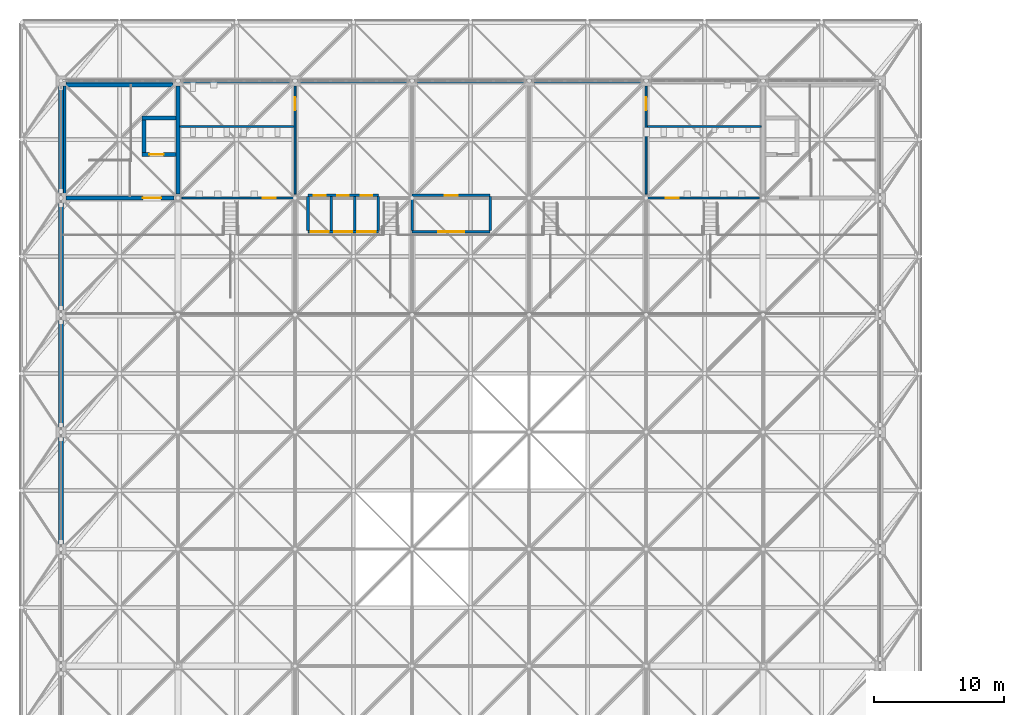
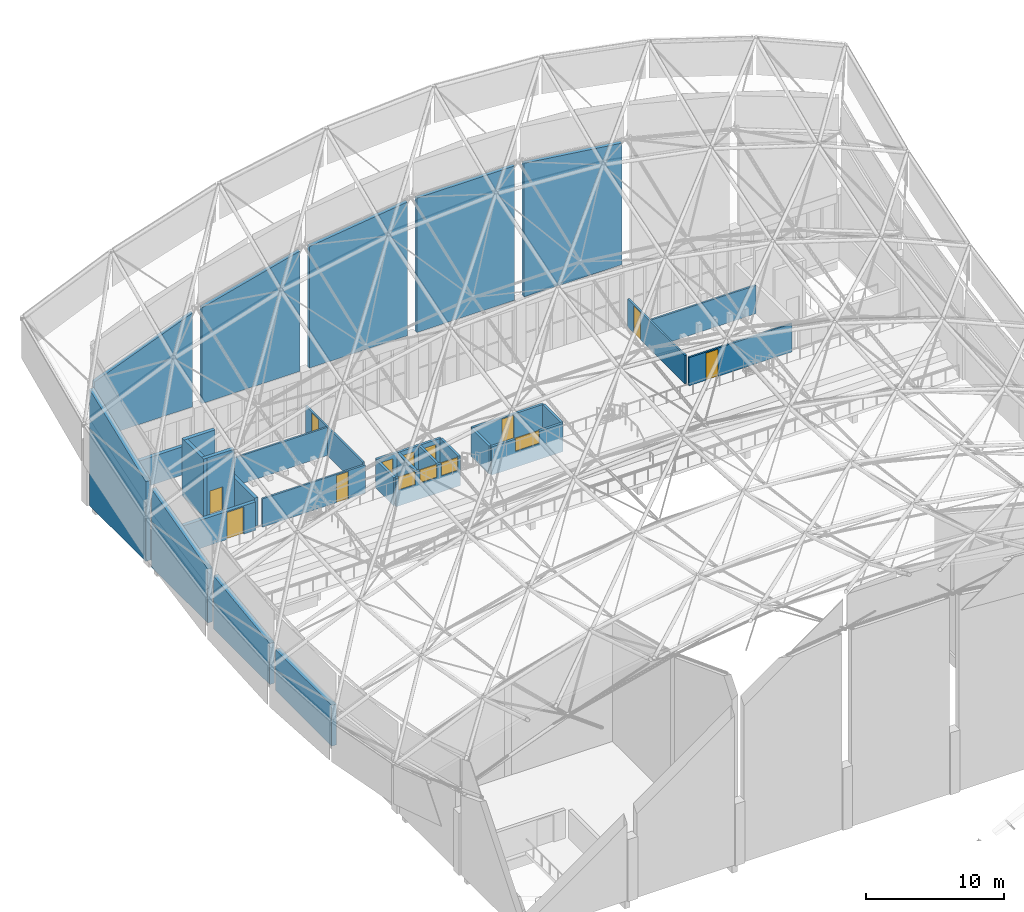
# One storey, part 273 of 437: 32 walls, 10 doors, 4 windows, 14 openings.
"""IFC4 building model written with IfcOpenShell, lengths in metres."""

from ifc_helpers import new_model, si_unit, direction, frame, frame_2d, origin, place, context, subcontext, project, spatial, polyline, rectangle, outline, extrude, material, layer, layer_set, type_object, element, fill, save


model = new_model("IFC4")

# Units and contexts
model_context = context("Model", 3, precision=1e-05, world=origin(), true_north=direction((0.0, 1.0)))
body_context = subcontext(model_context, "Body", "Model", "MODEL_VIEW")
ifc_project = project(units=[si_unit("LENGTHUNIT", "METRE"), si_unit("AREAUNIT", "SQUARE_METRE"), si_unit("VOLUMEUNIT", "CUBIC_METRE"), si_unit("PLANEANGLEUNIT", "RADIAN"), si_unit("MASSUNIT", "GRAM", prefix="KILO")], contexts=[model_context])

# Site, building, storey
site_placement = place(None, origin())
site = spatial("IfcSite", under=ifc_project, at=site_placement, CompositionType="ELEMENT")
building_placement = place(site_placement, origin())
building = spatial("IfcBuilding", under=site, at=building_placement, Name="Opaline Strait Convention Centre", CompositionType="ELEMENT")
storey_placement = place(building_placement, frame((0.0, 0.0, 11.5)))
storey = spatial("IfcBuildingStorey", under=building, at=storey_placement, Name="L02", CompositionType="ELEMENT", Elevation=11.5)

# Wall, openings, windows
ifc_material_1 = material(Name="Gypsum board on steel studs with mineral wool", Category="steel")
ifc_layer_1 = layer(ifc_material_1, 0.199951171875)
ifc_layer_set_1 = layer_set([ifc_layer_1], Name="Gypsum board on steel studs with mineral wool")
wall_type_1 = type_object("IfcWallType", Name="Acoustic partition 200", PredefinedType="PARTITIONING", material=ifc_layer_set_1)
wall_1_placement = place(storey_placement, frame((28.0, 168.39990234375, 0.0), z_axis=(0.0, 0.0, 1.0), x_axis=(1.0, 0.0, 0.0)))
wall_1 = element("IfcWall", 1, at=wall_1_placement, inside=storey, type_object=wall_type_1, Name="PW12 L02 partition BOOTH-S", PredefinedType="PARTITIONING", context=body_context, shape_type="SweptSolid", body=[
    extrude(rectangle(XDim=5.39990234375, YDim=0.199951171875, at=frame_2d((2.699951171875, 0.0))), origin(), (0.0, 0.0, 1.0), 2.5),
])
opening_1_placement = place(wall_1_placement, frame((0.199951171875, 0.0, 1.39990234375)))
opening_1 = element("IfcOpeningElement", 2, at=opening_1_placement, cuts=wall_1, Name="Opening PWN2", PredefinedType="OPENING", context=body_context, shape_type="SweptSolid", body=[
    extrude(rectangle(XDim=1.39990234375, YDim=1.10009765625, at=frame_2d((0.699951171875, 0.550048828125))), frame((0.0, 0.10986328125, 0.0), z_axis=(0.0, -1.0, 0.0), x_axis=(1.0, 0.0, 0.0)), (0.0, 0.0, 1.0), 0.219970703125),
])
opening_2_placement = place(wall_1_placement, frame((2.0, 0.0, 1.39990234375)))
opening_2 = element("IfcOpeningElement", 3, at=opening_2_placement, cuts=wall_1, Name="Opening PWN2", PredefinedType="OPENING", context=body_context, shape_type="SweptSolid", body=[
    extrude(rectangle(XDim=1.39990234375, YDim=1.10009765625, at=frame_2d((0.699951171875, 0.550048828125))), frame((0.0, 0.10986328125, 0.0), z_axis=(0.0, -1.0, 0.0), x_axis=(1.0, 0.0, 0.0)), (0.0, 0.0, 1.0), 0.219970703125),
])
opening_3_placement = place(wall_1_placement, frame((3.800048828125, 0.0, 1.39990234375)))
opening_3 = element("IfcOpeningElement", 4, at=opening_3_placement, cuts=wall_1, Name="Opening PWN2", PredefinedType="OPENING", context=body_context, shape_type="SweptSolid", body=[
    extrude(rectangle(XDim=1.39990234375, YDim=1.10009765625, at=frame_2d((0.699951171875, 0.550048828125))), frame((0.0, 0.10986328125, 0.0), z_axis=(0.0, -1.0, 0.0), x_axis=(1.0, 0.0, 0.0)), (0.0, 0.0, 1.0), 0.219970703125),
])
ifc_material_2 = material(Name="Aluminium framed double glazing", Category="aluminium")
window_type_1 = type_object("IfcWindowType", Name="Booth window 1400 x 1100", PartitioningType="DOUBLE_PANEL_VERTICAL", PredefinedType="WINDOW", material=ifc_material_2)
window_1_placement = place(opening_1_placement, origin())
window_1 = element("IfcWindow", 5, at=window_1_placement, inside=storey, type_object=window_type_1, Name="Interpreters booth 1 window", OverallHeight=1.10009765625, OverallWidth=1.39990234375, PartitioningType="DOUBLE_PANEL_VERTICAL", PredefinedType="WINDOW", context=body_context, shape_type="SweptSolid", body=[
    extrude(rectangle(XDim=1.39990234375, YDim=1.10009765625, at=frame_2d((0.699951171875, 0.550048828125))), frame((0.0, 0.030029296875, 0.0), z_axis=(0.0, -1.0, 0.0), x_axis=(1.0, 0.0, 0.0)), (0.0, 0.0, 1.0), 0.06005859375),
])
fill(opening_1, window_1)
window_2_placement = place(opening_2_placement, origin())
window_2 = element("IfcWindow", 6, at=window_2_placement, inside=storey, type_object=window_type_1, Name="Interpreters booth 2 window", OverallHeight=1.10009765625, OverallWidth=1.39990234375, PartitioningType="DOUBLE_PANEL_VERTICAL", PredefinedType="WINDOW", context=body_context, shape_type="SweptSolid", body=[
    extrude(rectangle(XDim=1.39990234375, YDim=1.10009765625, at=frame_2d((0.699951171875, 0.550048828125))), frame((0.0, 0.030029296875, 0.0), z_axis=(0.0, -1.0, 0.0), x_axis=(1.0, 0.0, 0.0)), (0.0, 0.0, 1.0), 0.06005859375),
])
fill(opening_2, window_2)
window_3_placement = place(opening_3_placement, origin())
window_3 = element("IfcWindow", 7, at=window_3_placement, inside=storey, type_object=window_type_1, Name="Interpreters booth 3 window", OverallHeight=1.10009765625, OverallWidth=1.39990234375, PartitioningType="DOUBLE_PANEL_VERTICAL", PredefinedType="WINDOW", context=body_context, shape_type="SweptSolid", body=[
    extrude(rectangle(XDim=1.39990234375, YDim=1.10009765625, at=frame_2d((0.699951171875, 0.550048828125))), frame((0.0, 0.030029296875, 0.0), z_axis=(0.0, -1.0, 0.0), x_axis=(1.0, 0.0, 0.0)), (0.0, 0.0, 1.0), 0.06005859375),
])
fill(opening_3, window_3)

# Wall, openings, doors
wall_2_placement = place(storey_placement, frame((28.0, 171.199951171875, 0.0), z_axis=(0.0, 0.0, 1.0), x_axis=(1.0, 0.0, 0.0)))
wall_2 = element("IfcWall", 8, at=wall_2_placement, inside=storey, type_object=wall_type_1, Name="PW12 L02 partition BOOTH-N", PredefinedType="PARTITIONING", context=body_context, shape_type="SweptSolid", body=[
    extrude(rectangle(XDim=5.39990234375, YDim=0.199951171875, at=frame_2d((2.699951171875, 0.0))), origin(), (0.0, 0.0, 1.0), 2.5),
])
opening_4_placement = place(wall_2_placement, frame((0.449951171875, 0.0, 0.0)))
opening_4 = element("IfcOpeningElement", 9, at=opening_4_placement, cuts=wall_2, Name="Opening P2-009", PredefinedType="OPENING", context=body_context, shape_type="SweptSolid", body=[
    extrude(rectangle(XDim=0.89990234375, YDim=2.10009765625, at=frame_2d((0.449951171875, 1.050048828125))), frame((0.0, 0.10986328125, 0.0), z_axis=(0.0, -1.0, 0.0), x_axis=(1.0, 0.0, 0.0)), (0.0, 0.0, 1.0), 0.219970703125),
])
opening_5_placement = place(wall_2_placement, frame((2.25, 0.0, 0.0)))
opening_5 = element("IfcOpeningElement", 10, at=opening_5_placement, cuts=wall_2, Name="Opening P2-010", PredefinedType="OPENING", context=body_context, shape_type="SweptSolid", body=[
    extrude(rectangle(XDim=0.89990234375, YDim=2.10009765625, at=frame_2d((0.449951171875, 1.050048828125))), frame((0.0, 0.10986328125, 0.0), z_axis=(0.0, -1.0, 0.0), x_axis=(1.0, 0.0, 0.0)), (0.0, 0.0, 1.0), 0.219970703125),
])
opening_6_placement = place(wall_2_placement, frame((4.050048828125, 0.0, 0.0)))
opening_6 = element("IfcOpeningElement", 11, at=opening_6_placement, cuts=wall_2, Name="Opening P2-011", PredefinedType="OPENING", context=body_context, shape_type="SweptSolid", body=[
    extrude(rectangle(XDim=0.89990234375, YDim=2.10009765625, at=frame_2d((0.449951171875, 1.050048828125))), frame((0.0, 0.10986328125, 0.0), z_axis=(0.0, -1.0, 0.0), x_axis=(1.0, 0.0, 0.0)), (0.0, 0.0, 1.0), 0.219970703125),
])
ifc_material_3 = material(Name="Timber door leaf", Category="wood")
door_type_1 = type_object("IfcDoorType", Name="Door single 900 x 2100", OperationType="NOTDEFINED", PredefinedType="DOOR", material=ifc_material_3)
door_1_placement = place(opening_4_placement, origin())
door_1 = element("IfcDoor", 12, at=door_1_placement, inside=storey, type_object=door_type_1, Name="Interpreters booth 1 door", ObjectType="PD12", OperationType="SINGLE_SWING_LEFT", OverallHeight=2.10009765625, OverallWidth=0.89990234375, PredefinedType="DOOR", context=body_context, shape_type="SweptSolid", body=[
    extrude(rectangle(XDim=0.89990234375, YDim=2.10009765625, at=frame_2d((0.449951171875, 1.050048828125))), frame((0.0, 0.02490234375, 0.0), z_axis=(0.0, -1.0, 0.0), x_axis=(1.0, 0.0, 0.0)), (0.0, 0.0, 1.0), 0.050048828125),
])
fill(opening_4, door_1)
door_2_placement = place(opening_5_placement, origin())
door_2 = element("IfcDoor", 13, at=door_2_placement, inside=storey, type_object=door_type_1, Name="Interpreters booth 2 door", ObjectType="PD12", OperationType="SINGLE_SWING_RIGHT", OverallHeight=2.10009765625, OverallWidth=0.89990234375, PredefinedType="DOOR", context=body_context, shape_type="SweptSolid", body=[
    extrude(rectangle(XDim=0.89990234375, YDim=2.10009765625, at=frame_2d((0.449951171875, 1.050048828125))), frame((0.0, 0.02490234375, 0.0), z_axis=(0.0, -1.0, 0.0), x_axis=(1.0, 0.0, 0.0)), (0.0, 0.0, 1.0), 0.050048828125),
])
fill(opening_5, door_2)
door_3_placement = place(opening_6_placement, origin())
door_3 = element("IfcDoor", 14, at=door_3_placement, inside=storey, type_object=door_type_1, Name="Interpreters booth 3 door", ObjectType="PD12", OperationType="SINGLE_SWING_RIGHT", OverallHeight=2.10009765625, OverallWidth=0.89990234375, PredefinedType="DOOR", context=body_context, shape_type="SweptSolid", body=[
    extrude(rectangle(XDim=0.89990234375, YDim=2.10009765625, at=frame_2d((0.449951171875, 1.050048828125))), frame((0.0, 0.02490234375, 0.0), z_axis=(0.0, -1.0, 0.0), x_axis=(1.0, 0.0, 0.0)), (0.0, 0.0, 1.0), 0.050048828125),
])
fill(opening_6, door_3)

# Walls
for number, where, z_axis, x_axis, name in (
    (15, (28.0, 168.5, 0.0), (0.0, 0.0, 1.0), (0.0, 1.0, 0.0), "PW12 L02 partition BOOTH-X0"),
    (16, (29.800048828125, 168.5, 0.0), (0.0, 0.0, 1.0), (0.0, 1.0, 0.0), "PW12 L02 partition BOOTH-X1"),
    (17, (31.60009765625, 168.5, 0.0), (0.0, 0.0, 1.0), (0.0, 1.0, 0.0), "PW12 L02 partition BOOTH-X2"),
    (18, (33.39990234375, 168.5, 0.0), (0.0, 0.0, 1.0), (0.0, 1.0, 0.0), "PW12 L02 partition BOOTH-X3"),
):
    element("IfcWall", number, at=place(storey_placement, frame(where, z_axis=z_axis, x_axis=x_axis)), inside=storey, type_object=wall_type_1, Name=name, PredefinedType="PARTITIONING", context=body_context, shape_type="SweptSolid", body=[
        extrude(rectangle(XDim=2.60009765625, YDim=0.199951171875, at=frame_2d((1.300048828125, 0.0))), origin(), (0.0, 0.0, 1.0), 2.5),
    ])

# Wall, opening, window
wall_3_placement = place(storey_placement, frame((36.0, 168.39990234375, 0.0), z_axis=(0.0, 0.0, 1.0), x_axis=(1.0, 0.0, 0.0)))
wall_3 = element("IfcWall", 19, at=wall_3_placement, inside=storey, type_object=wall_type_1, Name="PW12 L02 partition CTRL-S", PredefinedType="PARTITIONING", context=body_context, shape_type="SweptSolid", body=[
    extrude(rectangle(XDim=6.0, YDim=0.199951171875, at=frame_2d((3.0, 0.0))), origin(), (0.0, 0.0, 1.0), 2.5),
])
opening_7_placement = place(wall_3_placement, frame((2.0, 0.0, 1.39990234375)))
opening_7 = element("IfcOpeningElement", 20, at=opening_7_placement, cuts=wall_3, Name="Opening PWN1", PredefinedType="OPENING", context=body_context, shape_type="SweptSolid", body=[
    extrude(rectangle(XDim=2.0, YDim=1.10009765625, at=frame_2d((1.0, 0.550048828125))), frame((0.0, 0.10986328125, 0.0), z_axis=(0.0, -1.0, 0.0), x_axis=(1.0, 0.0, 0.0)), (0.0, 0.0, 1.0), 0.219970703125),
])
window_type_2 = type_object("IfcWindowType", Name="Booth window 2000 x 1100", PartitioningType="DOUBLE_PANEL_VERTICAL", PredefinedType="WINDOW", material=ifc_material_2)
window_4_placement = place(opening_7_placement, origin())
window_4 = element("IfcWindow", 21, at=window_4_placement, inside=storey, type_object=window_type_2, Name="Control room window", OverallHeight=1.10009765625, OverallWidth=2.0, PartitioningType="DOUBLE_PANEL_VERTICAL", PredefinedType="WINDOW", context=body_context, shape_type="SweptSolid", body=[
    extrude(rectangle(XDim=2.0, YDim=1.10009765625, at=frame_2d((1.0, 0.550048828125))), frame((0.0, 0.030029296875, 0.0), z_axis=(0.0, -1.0, 0.0), x_axis=(1.0, 0.0, 0.0)), (0.0, 0.0, 1.0), 0.06005859375),
])
fill(opening_7, window_4)

# Wall, opening, door
wall_4_placement = place(storey_placement, frame((36.0, 171.199951171875, 0.0), z_axis=(0.0, 0.0, 1.0), x_axis=(1.0, 0.0, 0.0)))
wall_4 = element("IfcWall", 22, at=wall_4_placement, inside=storey, type_object=wall_type_1, Name="PW12 L02 partition CTRL-N", PredefinedType="PARTITIONING", context=body_context, shape_type="SweptSolid", body=[
    extrude(rectangle(XDim=6.0, YDim=0.199951171875, at=frame_2d((3.0, 0.0))), origin(), (0.0, 0.0, 1.0), 2.5),
])
opening_8_placement = place(wall_4_placement, frame((2.5, 0.0, 0.0)))
opening_8 = element("IfcOpeningElement", 23, at=opening_8_placement, cuts=wall_4, Name="Opening P2-012", PredefinedType="OPENING", context=body_context, shape_type="SweptSolid", body=[
    extrude(rectangle(XDim=1.0, YDim=2.39990234375, at=frame_2d((0.5, 1.199951171875))), frame((0.0, 0.10986328125, 0.0), z_axis=(0.0, -1.0, 0.0), x_axis=(1.0, 0.0, 0.0)), (0.0, 0.0, 1.0), 0.219970703125),
])
door_type_2 = type_object("IfcDoorType", Name="Door single 1000 x 2400", OperationType="NOTDEFINED", PredefinedType="DOOR", material=ifc_material_3)
door_4_placement = place(opening_8_placement, origin())
door_4 = element("IfcDoor", 24, at=door_4_placement, inside=storey, type_object=door_type_2, Name="Control room door", ObjectType="PD6", OperationType="SINGLE_SWING_LEFT", OverallHeight=2.39990234375, OverallWidth=1.0, PredefinedType="DOOR", context=body_context, shape_type="SweptSolid", body=[
    extrude(rectangle(XDim=1.0, YDim=2.39990234375, at=frame_2d((0.5, 1.199951171875))), frame((0.0, 0.02490234375, 0.0), z_axis=(0.0, -1.0, 0.0), x_axis=(1.0, 0.0, 0.0)), (0.0, 0.0, 1.0), 0.050048828125),
])
fill(opening_8, door_4)

# Walls
for number, where, z_axis, x_axis, name in (
    (25, (36.0, 168.5, 0.0), (0.0, 0.0, 1.0), (0.0, 1.0, 0.0), "PW12 L02 partition CTRL-X0"),
    (26, (42.0, 168.5, 0.0), (0.0, 0.0, 1.0), (0.0, 1.0, 0.0), "PW12 L02 partition CTRL-X1"),
):
    element("IfcWall", number, at=place(storey_placement, frame(where, z_axis=z_axis, x_axis=x_axis)), inside=storey, type_object=wall_type_1, Name=name, PredefinedType="PARTITIONING", context=body_context, shape_type="SweptSolid", body=[
        extrude(rectangle(XDim=2.60009765625, YDim=0.199951171875, at=frame_2d((1.300048828125, 0.0))), origin(), (0.0, 0.0, 1.0), 2.5),
    ])

# Wall, opening, door
ifc_material_4 = material(Name="Autoclaved aerated blockwork", Category="masonry")
ifc_layer_2 = layer(ifc_material_4, 0.14990234375)
ifc_layer_set_2 = layer_set([ifc_layer_2], Name="Autoclaved aerated blockwork")
wall_type_2 = type_object("IfcWallType", Name="Blockwork partition 150", PredefinedType="PARTITIONING", material=ifc_layer_set_2)
wall_5_placement = place(storey_placement, frame((27.0, 171.300048828125, 0.0), z_axis=(0.0, 0.0, 1.0), x_axis=(0.0, 1.0, 0.0)))
wall_5 = element("IfcWall", 27, at=wall_5_placement, inside=storey, type_object=wall_type_2, Name="PW11 L02 partition WX27N", PredefinedType="PARTITIONING", context=body_context, shape_type="SweptSolid", body=[
    extrude(rectangle(XDim=8.300048828125, YDim=0.14990234375, at=frame_2d((4.14990234375, 0.0))), origin(), (0.0, 0.0, 1.0), 2.5),
])
opening_9_placement = place(wall_5_placement, frame((6.449951171875, 0.0, 0.0)))
opening_9 = element("IfcOpeningElement", 28, at=opening_9_placement, cuts=wall_5, Name="Opening P2-006", PredefinedType="OPENING", context=body_context, shape_type="SweptSolid", body=[
    extrude(rectangle(XDim=1.0, YDim=2.39990234375, at=frame_2d((0.5, 1.199951171875))), frame((0.0, 0.0849609375, 0.0), z_axis=(0.0, -1.0, 0.0), x_axis=(1.0, 0.0, 0.0)), (0.0, 0.0, 1.0), 0.169921875),
])
door_5_placement = place(opening_9_placement, origin())
door_5 = element("IfcDoor", 29, at=door_5_placement, inside=storey, type_object=door_type_2, Name="Accessible WC door", ObjectType="PD6", OperationType="SINGLE_SWING_RIGHT", OverallHeight=2.39990234375, OverallWidth=1.0, PredefinedType="DOOR", context=body_context, shape_type="SweptSolid", body=[
    extrude(rectangle(XDim=1.0, YDim=2.39990234375, at=frame_2d((0.5, 1.199951171875))), frame((0.0, 0.02490234375, 0.0), z_axis=(0.0, -1.0, 0.0), x_axis=(1.0, 0.0, 0.0)), (0.0, 0.0, 1.0), 0.050048828125),
])
fill(opening_9, door_5)

wall_6_placement = place(storey_placement, frame((18.300048828125, 171.0, 0.0), z_axis=(0.0, 0.0, 1.0), x_axis=(1.0, 0.0, 0.0)))
wall_6 = element("IfcWall", 30, at=wall_6_placement, inside=storey, type_object=wall_type_2, Name="PW11 L02 partition WY171N", PredefinedType="PARTITIONING", context=body_context, shape_type="SweptSolid", body=[
    extrude(rectangle(XDim=8.625, YDim=0.14990234375, at=frame_2d((4.3125, 0.0))), origin(), (0.0, 0.0, 1.0), 2.5),
])
opening_10_placement = place(wall_6_placement, frame((6.199951171875, 0.0, 0.0)))
opening_10 = element("IfcOpeningElement", 31, at=opening_10_placement, cuts=wall_6, Name="Opening P2-005", PredefinedType="OPENING", context=body_context, shape_type="SweptSolid", body=[
    extrude(rectangle(XDim=1.0, YDim=2.39990234375, at=frame_2d((0.5, 1.199951171875))), frame((0.0, 0.0849609375, 0.0), z_axis=(0.0, -1.0, 0.0), x_axis=(1.0, 0.0, 0.0)), (0.0, 0.0, 1.0), 0.169921875),
])
door_6_placement = place(opening_10_placement, origin())
door_6 = element("IfcDoor", 32, at=door_6_placement, inside=storey, type_object=door_type_2, Name="Women's WC door", ObjectType="PD6", OperationType="SINGLE_SWING_RIGHT", OverallHeight=2.39990234375, OverallWidth=1.0, PredefinedType="DOOR", context=body_context, shape_type="SweptSolid", body=[
    extrude(rectangle(XDim=1.0, YDim=2.39990234375, at=frame_2d((0.5, 1.199951171875))), frame((0.0, 0.02490234375, 0.0), z_axis=(0.0, -1.0, 0.0), x_axis=(1.0, 0.0, 0.0)), (0.0, 0.0, 1.0), 0.050048828125),
])
fill(opening_10, door_6)

# Wall
wall_7_placement = place(storey_placement, frame((18.14990234375, 176.5, 0.0), z_axis=(0.0, 0.0, 1.0), x_axis=(1.0, 0.0, 0.0)))
element("IfcWall", 33, at=wall_7_placement, inside=storey, type_object=wall_type_2, Name="PW11 L02 partition WY1765N", PredefinedType="PARTITIONING", context=body_context, shape_type="SweptSolid", body=[
    extrude(rectangle(XDim=8.775146484375, YDim=0.14990234375, at=frame_2d((4.3876953125, 0.0))), origin(), (0.0, 0.0, 1.0), 2.5),
])

# Wall, opening, door
wall_8_placement = place(storey_placement, frame((54.0, 171.300048828125, 0.0), z_axis=(0.0, 0.0, 1.0), x_axis=(0.0, 1.0, 0.0)))
wall_8 = element("IfcWall", 34, at=wall_8_placement, inside=storey, type_object=wall_type_2, Name="PW11 L02 partition EX27N", PredefinedType="PARTITIONING", context=body_context, shape_type="SweptSolid", body=[
    extrude(rectangle(XDim=8.300048828125, YDim=0.14990234375, at=frame_2d((4.14990234375, 0.0))), origin(), (0.0, 0.0, 1.0), 2.5),
])
opening_11_placement = place(wall_8_placement, frame((6.449951171875, 0.0, 0.0)))
opening_11 = element("IfcOpeningElement", 35, at=opening_11_placement, cuts=wall_8, Name="Opening P2-008", PredefinedType="OPENING", context=body_context, shape_type="SweptSolid", body=[
    extrude(rectangle(XDim=1.0, YDim=2.39990234375, at=frame_2d((0.5, 1.199951171875))), frame((0.0, 0.0849609375, 0.0), z_axis=(0.0, -1.0, 0.0), x_axis=(1.0, 0.0, 0.0)), (0.0, 0.0, 1.0), 0.169921875),
])
door_7_placement = place(opening_11_placement, origin())
door_7 = element("IfcDoor", 36, at=door_7_placement, inside=storey, type_object=door_type_2, Name="Accessible WC door", ObjectType="PD6", OperationType="SINGLE_SWING_RIGHT", OverallHeight=2.39990234375, OverallWidth=1.0, PredefinedType="DOOR", context=body_context, shape_type="SweptSolid", body=[
    extrude(rectangle(XDim=1.0, YDim=2.39990234375, at=frame_2d((0.5, 1.199951171875))), frame((0.0, 0.02490234375, 0.0), z_axis=(0.0, -1.0, 0.0), x_axis=(1.0, 0.0, 0.0)), (0.0, 0.0, 1.0), 0.050048828125),
])
fill(opening_11, door_7)

wall_9_placement = place(storey_placement, frame((62.699951171875, 171.0, 0.0), z_axis=(0.0, 0.0, 1.0), x_axis=(-1.0, 0.0, 0.0)))
wall_9 = element("IfcWall", 37, at=wall_9_placement, inside=storey, type_object=wall_type_2, Name="PW11 L02 partition EY171N", PredefinedType="PARTITIONING", context=body_context, shape_type="SweptSolid", body=[
    extrude(rectangle(XDim=8.625, YDim=0.14990234375, at=frame_2d((4.3125, 0.0))), origin(), (0.0, 0.0, 1.0), 2.5),
])
opening_12_placement = place(wall_9_placement, frame((6.199951171875, 0.0, 0.0)))
opening_12 = element("IfcOpeningElement", 38, at=opening_12_placement, cuts=wall_9, Name="Opening P2-007", PredefinedType="OPENING", context=body_context, shape_type="SweptSolid", body=[
    extrude(rectangle(XDim=1.0, YDim=2.39990234375, at=frame_2d((0.5, 1.199951171875))), frame((0.0, 0.0849609375, 0.0), z_axis=(0.0, -1.0, 0.0), x_axis=(1.0, 0.0, 0.0)), (0.0, 0.0, 1.0), 0.169921875),
])
door_8_placement = place(opening_12_placement, origin())
door_8 = element("IfcDoor", 39, at=door_8_placement, inside=storey, type_object=door_type_2, Name="Men's WC door", ObjectType="PD6", OperationType="SINGLE_SWING_RIGHT", OverallHeight=2.39990234375, OverallWidth=1.0, PredefinedType="DOOR", context=body_context, shape_type="SweptSolid", body=[
    extrude(rectangle(XDim=1.0, YDim=2.39990234375, at=frame_2d((0.5, 1.199951171875))), frame((0.0, 0.02490234375, 0.0), z_axis=(0.0, -1.0, 0.0), x_axis=(1.0, 0.0, 0.0)), (0.0, 0.0, 1.0), 0.050048828125),
])
fill(opening_12, door_8)

# Walls
wall_10_placement = place(storey_placement, frame((62.85009765625, 176.5, 0.0), z_axis=(0.0, 0.0, 1.0), x_axis=(-1.0, 0.0, 0.0)))
element("IfcWall", 40, at=wall_10_placement, inside=storey, type_object=wall_type_2, Name="PW11 L02 partition EY1765N", PredefinedType="PARTITIONING", context=body_context, shape_type="SweptSolid", body=[
    extrude(rectangle(XDim=8.775146484375, YDim=0.14990234375, at=frame_2d((4.3876953125, 0.0))), origin(), (0.0, 0.0, 1.0), 2.5),
])
ifc_material_5 = material(Name="Concrete C40", Category="concrete")
ifc_layer_3 = layer(ifc_material_5, 0.320068359375)
ifc_material_6 = material(Name="Mineral wool insulation")
ifc_layer_4 = layer(ifc_material_6, 0.050048828125)
ifc_material_7 = material(Name="Gypsum board lining")
ifc_layer_5 = layer(ifc_material_7, 0.030029296875)
ifc_layer_set_3 = layer_set([ifc_layer_3, ifc_layer_4, ifc_layer_5], Name="Concrete C40, Mineral wool insulation, Gypsum board lining")
wall_type_3 = type_object("IfcWallType", Name="RC external wall 400 C40", PredefinedType="SOLIDWALL", material=ifc_layer_set_3)
wall_11_placement = place(storey_placement, frame((9.0, 144.39990234375, 0.0), z_axis=(0.0, 0.0, 1.0), x_axis=(0.0, 1.0, 0.0)))
element("IfcWall", 41, at=wall_11_placement, inside=storey, type_object=wall_type_3, Name="PW1 west wall L02 2/S-2/T", PredefinedType="SOLIDWALL", context=body_context, shape_type="SweptSolid", body=[
    extrude(outline(polyline([(0.0, 0.0), (8.2001953125, 0.0), (8.199951171875, 3.608642578125), (0.0, 3.608642578125), (0.0, 0.0)])), frame((0.0, 0.199951171875, 0.0), z_axis=(0.0, -1.0, 0.0), x_axis=(1.0, 0.0, 0.0)), (0.0, 0.0, 1.0), 0.39990234375),
])
wall_12_placement = place(storey_placement, frame((9.0, 153.39990234375, 0.0), z_axis=(0.0, 0.0, 1.0), x_axis=(0.0, 1.0, 0.0)))
element("IfcWall", 42, at=wall_12_placement, inside=storey, type_object=wall_type_3, Name="PW1 west wall L02 2/T-2/U", PredefinedType="SOLIDWALL", context=body_context, shape_type="SweptSolid", body=[
    extrude(outline(polyline([(0.0, 0.0), (8.2001953125, 0.0), (8.199951171875, 4.70068359375), (0.0, 3.6328125), (0.0, 0.0)])), frame((0.0, 0.199951171875, 0.0), z_axis=(0.0, -1.0, 0.0), x_axis=(1.0, 0.0, 0.0)), (0.0, 0.0, 1.0), 0.39990234375),
])
wall_13_placement = place(storey_placement, frame((9.0, 162.39990234375, 0.0), z_axis=(0.0, 0.0, 1.0), x_axis=(0.0, 1.0, 0.0)))
element("IfcWall", 43, at=wall_13_placement, inside=storey, type_object=wall_type_3, Name="PW1 west wall L02 2/U-2/V", PredefinedType="SOLIDWALL", context=body_context, shape_type="SweptSolid", body=[
    extrude(outline(polyline([(0.0, 0.0), (8.2001953125, 0.0), (8.199951171875, 6.935546875), (0.0, 4.775634765625), (0.0, 0.0)])), frame((0.0, 0.199951171875, 0.0), z_axis=(0.0, -1.0, 0.0), x_axis=(1.0, 0.0, 0.0)), (0.0, 0.0, 1.0), 0.39990234375),
])
wall_14_placement = place(storey_placement, frame((9.0, 171.39990234375, 0.0), z_axis=(0.0, 0.0, 1.0), x_axis=(0.0, 1.0, 0.0)))
element("IfcWall", 44, at=wall_14_placement, inside=storey, type_object=wall_type_3, Name="PW1 west wall L02 2/V-2/W", PredefinedType="SOLIDWALL", context=body_context, shape_type="SweptSolid", body=[
    extrude(outline(polyline([(0.0, 0.0), (8.2001953125, 0.0), (8.199951171875, 10.3134765625), (0.0, 7.061279296875), (0.0, 0.0)])), frame((0.0, 0.199951171875, 0.0), z_axis=(0.0, -1.0, 0.0), x_axis=(1.0, 0.0, 0.0)), (0.0, 0.0, 1.0), 0.39990234375),
])
ifc_layer_6 = layer(ifc_material_5, 0.300048828125)
ifc_layer_set_4 = layer_set([ifc_layer_6], Name="Concrete C40")
wall_type_4 = type_object("IfcWallType", Name="RC stair core wall 300 C40", PredefinedType="SOLIDWALL", material=ifc_layer_set_4)
wall_15_placement = place(storey_placement, frame((18.0, 171.300048828125, 0.0), z_axis=(0.0, 0.0, 1.0), x_axis=(0.0, 1.0, 0.0)))
element("IfcWall", 45, at=wall_15_placement, inside=storey, type_object=wall_type_4, Name="PW13 L02 NW core side wall", PredefinedType="SOLIDWALL", context=body_context, shape_type="SweptSolid", body=[
    extrude(rectangle(XDim=8.300048828125, YDim=0.300048828125, at=frame_2d((4.14990234375, 0.0))), origin(), (0.0, 0.0, 1.0), 2.5),
])

# Wall, opening, door
wall_16_placement = place(storey_placement, frame((9.39990234375, 171.0, 0.0), z_axis=(0.0, 0.0, 1.0), x_axis=(1.0, 0.0, 0.0)))
wall_16 = element("IfcWall", 46, at=wall_16_placement, inside=storey, type_object=wall_type_4, Name="PW13 L02 NW core cross wall", PredefinedType="SOLIDWALL", context=body_context, shape_type="SweptSolid", body=[
    extrude(rectangle(XDim=8.300048828125, YDim=0.300048828125, at=frame_2d((4.14990234375, 0.0))), origin(), (0.0, 0.0, 1.0), 2.5),
])
opening_13_placement = place(wall_16_placement, frame((5.89990234375, 0.0, 0.0)))
opening_13 = element("IfcOpeningElement", 47, at=opening_13_placement, cuts=wall_16, Name="Opening P2-003", PredefinedType="OPENING", context=body_context, shape_type="SweptSolid", body=[
    extrude(rectangle(XDim=1.39990234375, YDim=2.39990234375, at=frame_2d((0.699951171875, 1.199951171875))), frame((0.0, 0.159912109375, 0.0), z_axis=(0.0, -1.0, 0.0), x_axis=(1.0, 0.0, 0.0)), (0.0, 0.0, 1.0), 0.320068359375),
])
ifc_material_8 = material(Name="Steel Q235B", Category="steel")
door_type_3 = type_object("IfcDoorType", Name="Fire door FD60 1400 x 2400", OperationType="DOUBLE_DOOR_SINGLE_SWING", PredefinedType="DOOR", material=ifc_material_8)
door_9_placement = place(opening_13_placement, origin())
door_9 = element("IfcDoor", 48, at=door_9_placement, inside=storey, type_object=door_type_3, Name="NW stair core door", ObjectType="PD8", OperationType="SINGLE_SWING_LEFT", OverallHeight=2.39990234375, OverallWidth=1.39990234375, PredefinedType="DOOR", context=body_context, shape_type="SweptSolid", body=[
    extrude(rectangle(XDim=1.39990234375, YDim=2.39990234375, at=frame_2d((0.699951171875, 1.199951171875))), frame((0.0, 0.02490234375, 0.0), z_axis=(0.0, -1.0, 0.0), x_axis=(1.0, 0.0, 0.0)), (0.0, 0.0, 1.0), 0.050048828125),
])
fill(opening_13, door_9)

# Walls
wall_17_placement = place(storey_placement, frame((9.39990234375, 179.699951171875, 0.0), z_axis=(0.0, 0.0, 1.0), x_axis=(1.0, 0.0, 0.0)))
element("IfcWall", 49, at=wall_17_placement, inside=storey, type_object=wall_type_4, Name="PW13 L02 NW core north wall", PredefinedType="SOLIDWALL", context=body_context, shape_type="SweptSolid", body=[
    extrude(rectangle(XDim=8.2001953125, YDim=0.300048828125, at=frame_2d((4.10009765625, 0.0))), origin(), (0.0, 0.0, 1.0), 2.5),
])
wall_18_placement = place(storey_placement, frame((15.39990234375, 174.199951171875, 0.0), z_axis=(0.0, 0.0, 1.0), x_axis=(0.0, 1.0, 0.0)))
element("IfcWall", 50, at=wall_18_placement, inside=storey, type_object=wall_type_4, Name="PW13 L02 NW lift shaft wall", PredefinedType="SOLIDWALL", context=body_context, shape_type="SweptSolid", body=[
    extrude(rectangle(XDim=3.10009765625, YDim=0.300048828125, at=frame_2d((1.550048828125, 0.0))), origin(), (0.0, 0.0, 1.0), 5.10009765625),
])

# Wall, opening, door
wall_19_placement = place(storey_placement, frame((15.25, 174.35009765625, 0.0), z_axis=(0.0, 0.0, 1.0), x_axis=(1.0, 0.0, 0.0)))
wall_19 = element("IfcWall", 51, at=wall_19_placement, inside=storey, type_object=wall_type_4, Name="PW13 L02 NW lift lobby wall", PredefinedType="SOLIDWALL", context=body_context, shape_type="SweptSolid", body=[
    extrude(rectangle(XDim=2.60009765625, YDim=0.300048828125, at=frame_2d((1.300048828125, 0.0))), origin(), (0.0, 0.0, 1.0), 5.10009765625),
])
opening_14_placement = place(wall_19_placement, frame((0.550048828125, 0.0, 0.0)))
opening_14 = element("IfcOpeningElement", 52, at=opening_14_placement, cuts=wall_19, Name="Opening P2-013", PredefinedType="OPENING", context=body_context, shape_type="SweptSolid", body=[
    extrude(rectangle(XDim=1.10009765625, YDim=2.10009765625, at=frame_2d((0.550048828125, 1.050048828125))), frame((0.0, 0.159912109375, 0.0), z_axis=(0.0, -1.0, 0.0), x_axis=(1.0, 0.0, 0.0)), (0.0, 0.0, 1.0), 0.320068359375),
])
ifc_material_9 = material(Name="Stainless steel 304", Category="steel")
door_type_4 = type_object("IfcDoorType", Name="Lift landing door 1100 x 2100", OperationType="SLIDING_TO_LEFT", PredefinedType="DOOR", material=ifc_material_9)
door_10_placement = place(opening_14_placement, origin())
door_10 = element("IfcDoor", 53, at=door_10_placement, inside=storey, type_object=door_type_4, Name="Lift landing door NW L02", ObjectType="PD10", OperationType="SLIDING_TO_LEFT", OverallHeight=2.10009765625, OverallWidth=1.10009765625, PredefinedType="DOOR", context=body_context, shape_type="SweptSolid", body=[
    extrude(rectangle(XDim=1.10009765625, YDim=2.10009765625, at=frame_2d((0.550048828125, 1.050048828125))), frame((0.0, 0.02490234375, 0.0), z_axis=(0.0, -1.0, 0.0), x_axis=(1.0, 0.0, 0.0)), (0.0, 0.0, 1.0), 0.050048828125),
])
fill(opening_14, door_10)

# Walls
wall_20_placement = place(storey_placement, frame((15.25, 177.14990234375, 0.0), z_axis=(0.0, 0.0, 1.0), x_axis=(1.0, 0.0, 0.0)))
element("IfcWall", 54, at=wall_20_placement, inside=storey, type_object=wall_type_4, Name="PW13 L02 NW lift back wall", PredefinedType="SOLIDWALL", context=body_context, shape_type="SweptSolid", body=[
    extrude(rectangle(XDim=2.60009765625, YDim=0.300048828125, at=frame_2d((1.300048828125, 0.0))), origin(), (0.0, 0.0, 1.0), 5.10009765625),
])
ifc_layer_7 = layer(ifc_material_5, 0.199951171875)
ifc_layer_set_5 = layer_set([ifc_layer_7], Name="Concrete C40")
wall_type_5 = type_object("IfcWallType", Name="RC stair lining wall 200 C40", PredefinedType="SOLIDWALL", material=ifc_layer_set_5)
wall_21_placement = place(storey_placement, frame((9.300048828125, 171.300048828125, 0.0), z_axis=(0.0, 0.0, 1.0), x_axis=(0.0, 1.0, 0.0)))
element("IfcWall", 55, at=wall_21_placement, inside=storey, type_object=wall_type_5, Name="PW14 L02 NW stair lining wall", PredefinedType="SOLIDWALL", context=body_context, shape_type="SweptSolid", body=[
    extrude(rectangle(XDim=8.300048828125, YDim=0.199951171875, at=frame_2d((4.14990234375, 0.0))), origin(), (0.0, 0.0, 1.0), 2.5),
])
ifc_material_10 = material(Name="Precast concrete C40/50, white finish", Category="concrete")
ifc_layer_8 = layer(ifc_material_10, 0.219970703125)
ifc_layer_9 = layer(ifc_material_6, 0.050048828125)
ifc_layer_10 = layer(ifc_material_7, 0.030029296875)
ifc_layer_set_6 = layer_set([ifc_layer_8, ifc_layer_9, ifc_layer_10], Name="Precast concrete C40/50, white finish, Mineral wool insulation, Gypsum board lining")
wall_type_6 = type_object("IfcWallType", Name="White precast end wall panel 300", PredefinedType="STANDARD", material=ifc_layer_set_6)
wall_22_placement = place(storey_placement, frame((9.39990234375, 180.0, 5.5), z_axis=(0.0, 0.0, 1.0), x_axis=(1.0, 0.0, 0.0)))
element("IfcWall", 56, at=wall_22_placement, inside=storey, type_object=wall_type_6, Name="PW10 raked end wall 1", PredefinedType="STANDARD", context=body_context, shape_type="SweptSolid", body=[
    extrude(outline(polyline([(0.0, 0.0), (8.2001953125, 0.0), (8.199951171875, 8.316162109375), (0.0, 5.078125), (0.0, 0.0)])), frame((0.0, 0.14990234375, 0.0), z_axis=(0.0, -1.0, 0.0), x_axis=(1.0, 0.0, 0.0)), (0.0, 0.0, 1.0), 0.300048828125),
])
wall_23_placement = place(storey_placement, frame((18.39990234375, 180.0, 5.5), z_axis=(0.0, 0.0, 1.0), x_axis=(1.0, 0.0, 0.0)))
element("IfcWall", 57, at=wall_23_placement, inside=storey, type_object=wall_type_6, Name="PW10 raked end wall 2", PredefinedType="STANDARD", context=body_context, shape_type="SweptSolid", body=[
    extrude(outline(polyline([(0.0, 0.0), (8.2001953125, 0.0), (8.199951171875, 10.652587890625), (0.0, 8.493896484375), (0.0, 0.0)])), frame((0.0, 0.14990234375, 0.0), z_axis=(0.0, -1.0, 0.0), x_axis=(1.0, 0.0, 0.0)), (0.0, 0.0, 1.0), 0.300048828125),
])
wall_24_placement = place(storey_placement, frame((27.39990234375, 180.0, 5.5), z_axis=(0.0, 0.0, 1.0), x_axis=(1.0, 0.0, 0.0)))
element("IfcWall", 58, at=wall_24_placement, inside=storey, type_object=wall_type_6, Name="PW10 raked end wall 3", PredefinedType="STANDARD", context=body_context, shape_type="SweptSolid", body=[
    extrude(outline(polyline([(0.0, 0.0), (8.2001953125, 0.0), (8.199951171875, 11.84619140625), (0.0, 10.76708984375), (0.0, 0.0)])), frame((0.0, 0.14990234375, 0.0), z_axis=(0.0, -1.0, 0.0), x_axis=(1.0, 0.0, 0.0)), (0.0, 0.0, 1.0), 0.300048828125),
])
wall_25_placement = place(storey_placement, frame((36.39990234375, 180.0, 5.5), z_axis=(0.0, 0.0, 1.0), x_axis=(1.0, 0.0, 0.0)))
element("IfcWall", 59, at=wall_25_placement, inside=storey, type_object=wall_type_6, Name="PW10 raked end wall 4", PredefinedType="STANDARD", context=body_context, shape_type="SweptSolid", body=[
    extrude(outline(polyline([(0.0, 0.0), (8.2001953125, 0.0), (8.199951171875, 11.897216796875), (0.0, 11.897216796875), (0.0, 0.0)])), frame((0.0, 0.14990234375, 0.0), z_axis=(0.0, -1.0, 0.0), x_axis=(1.0, 0.0, 0.0)), (0.0, 0.0, 1.0), 0.300048828125),
])
wall_26_placement = place(storey_placement, frame((45.39990234375, 180.0, 5.5), z_axis=(0.0, 0.0, 1.0), x_axis=(1.0, 0.0, 0.0)))
element("IfcWall", 60, at=wall_26_placement, inside=storey, type_object=wall_type_6, Name="PW10 raked end wall 5", PredefinedType="STANDARD", context=body_context, shape_type="SweptSolid", body=[
    extrude(outline(polyline([(0.0, 0.0), (8.2001953125, 0.0), (8.199951171875, 10.76708984375), (0.0, 11.84619140625), (0.0, 0.0)])), frame((0.0, 0.14990234375, 0.0), z_axis=(0.0, -1.0, 0.0), x_axis=(1.0, 0.0, 0.0)), (0.0, 0.0, 1.0), 0.300048828125),
])

save(model, "model.ifc")
